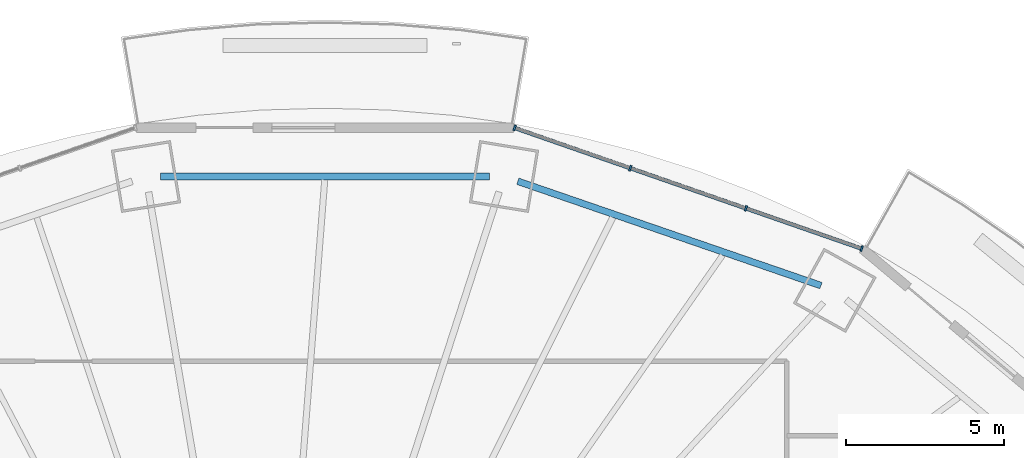
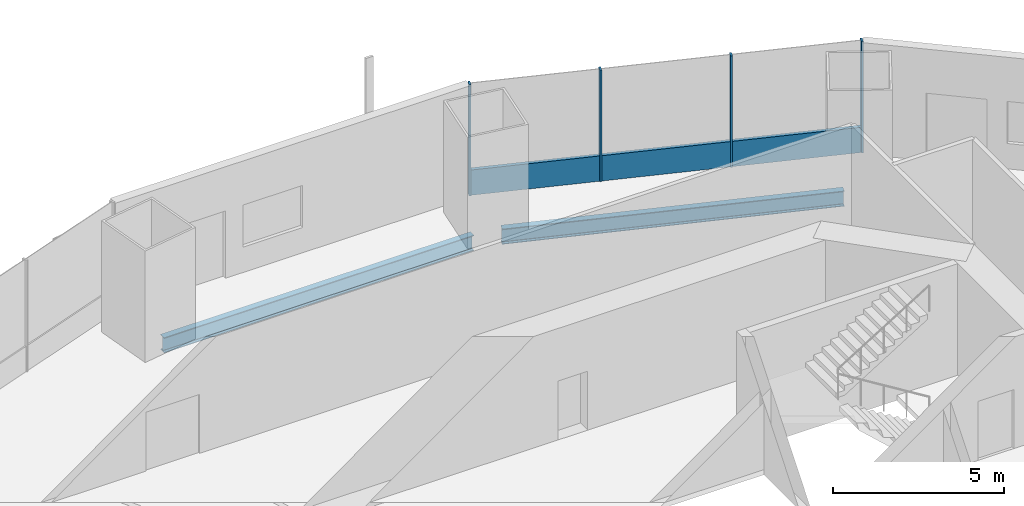
# One storey, part 8 of 19: 5 members, 2 beams, 1 element without a shape of its own.
"""IFC4 building model written with IfcOpenShell, lengths in metres."""

from ifc_helpers import new_model, si_unit, direction, frame, origin, origin_2d, place, context, subcontext, project, spatial, rectangle, i_section, extrude, material, material_profile, profile_set, type_object, element, aggregate, save


model = new_model("IFC4")

# Units and contexts
model_context = context("Model", 3, precision=1e-05, world=origin(), true_north=direction((0.0, 1.0)))
body_context = subcontext(model_context, "Body", "Model", "MODEL_VIEW")
ifc_project = project(units=[si_unit("LENGTHUNIT", "METRE"), si_unit("AREAUNIT", "SQUARE_METRE"), si_unit("VOLUMEUNIT", "CUBIC_METRE"), si_unit("PLANEANGLEUNIT", "RADIAN"), si_unit("MASSUNIT", "GRAM", prefix="KILO")], contexts=[model_context])

# Site, building, storey
site_placement = place(None, origin())
site = spatial("IfcSite", under=ifc_project, at=site_placement, CompositionType="ELEMENT")
building_placement = place(site_placement, origin())
building = spatial("IfcBuilding", under=site, at=building_placement, Name="Marenthal Gate Tower", CompositionType="ELEMENT")
storey_placement = place(building_placement, frame((0.0, 0.0, 231.60009765625)))
storey = spatial("IfcBuildingStorey", under=building, at=storey_placement, Name="L51", CompositionType="ELEMENT", Elevation=231.60009765625)

# Curtain wall, members
ifc_material_1 = material(Name="Aluminium and glass", Category="aluminium")
curtain_wall_type = type_object("IfcCurtainWallType", Name="Curtain wall typical mid", PredefinedType="NOTDEFINED", material=ifc_material_1)
curtain_wall_placement = place(storey_placement, origin())
curtain_wall = element("IfcCurtainWall", 1, at=curtain_wall_placement, inside=storey, type_object=curtain_wall_type, Name="Curtain wall L51 bay 3", PredefinedType="NOTDEFINED")
ifc_material_2 = material(Name="Aluminium", Category="aluminium")
ifc_material_profile_1 = material_profile(ifc_material_2, rectangle(XDim=0.179931640625, YDim=0.06005859375, at=origin_2d()), Name="60x180 aluminium mullion")
ifc_profile_set_1 = profile_set([ifc_material_profile_1], Name="Aluminium")
member_type_1 = type_object("IfcMemberType", Name="Mullion 60x180 typical mid", PredefinedType="MULLION", material=ifc_profile_set_1)
member_1_placement = place(storey_placement, frame((18.821044921875, 20.832763671875, 0.0), z_axis=(0.0, 0.0, 1.0), x_axis=(-0.328467970612, -0.94451510961, 0.0)))
member_1 = element("IfcMember", 2, at=member_1_placement, type_object=member_type_1, Name="Mullion L51 bay 3.1", PredefinedType="MULLION", context=body_context, shape_type="SweptSolid", body=[
    extrude(rectangle(XDim=0.179931640625, YDim=0.06005859375, at=origin_2d()), origin(), (0.0, 0.0, 1.0), 3.969970703125),
])
member_2_placement = place(storey_placement, frame((15.15234375, 22.1083984375, 0.0), z_axis=(0.0, 0.0, 1.0), x_axis=(-0.328467970612, -0.94451510961, 0.0)))
member_2 = element("IfcMember", 3, at=member_2_placement, type_object=member_type_1, Name="Mullion L51 bay 3.2", PredefinedType="MULLION", context=body_context, shape_type="SweptSolid", body=[
    extrude(rectangle(XDim=0.179931640625, YDim=0.06005859375, at=origin_2d()), origin(), (0.0, 0.0, 1.0), 3.969970703125),
])
member_3_placement = place(storey_placement, frame((11.48388671875, 23.38427734375, 0.0), z_axis=(0.0, 0.0, 1.0), x_axis=(-0.328467970612, -0.94451510961, 0.0)))
member_3 = element("IfcMember", 4, at=member_3_placement, type_object=member_type_1, Name="Mullion L51 bay 3.3", PredefinedType="MULLION", context=body_context, shape_type="SweptSolid", body=[
    extrude(rectangle(XDim=0.179931640625, YDim=0.06005859375, at=origin_2d()), origin(), (0.0, 0.0, 1.0), 3.969970703125),
])
member_4_placement = place(storey_placement, frame((7.815185546875, 24.66015625, 0.0), z_axis=(0.0, 0.0, 1.0), x_axis=(-0.328467970612, -0.94451510961, 0.0)))
member_4 = element("IfcMember", 5, at=member_4_placement, type_object=member_type_1, Name="Mullion L51 bay 3.4", PredefinedType="MULLION", context=body_context, shape_type="SweptSolid", body=[
    extrude(rectangle(XDim=0.179931640625, YDim=0.06005859375, at=origin_2d()), origin(), (0.0, 0.0, 1.0), 3.969970703125),
])
ifc_material_3 = material(Name="Aluminium", Category="aluminium")
ifc_material_profile_2 = material_profile(ifc_material_3, rectangle(XDim=0.1201171875, YDim=0.89990234375, at=origin_2d()), Name="120x900 aluminium transom")
ifc_profile_set_2 = profile_set([ifc_material_profile_2], Name="Aluminium")
member_type_2 = type_object("IfcMemberType", Name="Transom 120x900 typical mid", PredefinedType="USERDEFINED", material=ifc_profile_set_2)
member_5_placement = place(storey_placement, frame((18.792724609375, 20.842529296875, 0.449951171875), z_axis=(-0.944518387827, 0.328458543894, 0.0), x_axis=(-0.328458543894, -0.944518387827, 0.0)))
member_5 = element("IfcMember", 6, at=member_5_placement, type_object=member_type_2, Name="Transom L51 bay 3", ObjectType="TRANSOM", PredefinedType="USERDEFINED", context=body_context, shape_type="SweptSolid", body=[
    extrude(rectangle(XDim=0.1201171875, YDim=0.89990234375, at=origin_2d()), origin(), (0.0, 0.0, 1.0), 11.59228515625),
])
aggregate(curtain_wall, [member_1, member_2, member_3, member_4, member_5])

# Beams
ifc_material_4 = material(Name="Steel S355", Category="steel")
ifc_material_profile_3 = material_profile(ifc_material_4, i_section(OverallWidth=0.2119140625, OverallDepth=0.5439453125, WebThickness=0.01318359375, FlangeThickness=0.021240234375, FilletRadius=0.0126953125, at=origin_2d()), Name="W530X123")
ifc_profile_set_3 = profile_set([ifc_material_profile_3], Name="Steel S355")
beam_type = type_object("IfcBeamType", Name="W530X123 beam", PredefinedType="BEAM", material=ifc_profile_set_3)
beam_1_placement = place(storey_placement, frame((17.531982421875, 19.660400390625, -0.4521484375), z_axis=(-0.945567746604, 0.325425316443, 0.0), x_axis=(-0.325425316443, -0.945567746604, 0.0)))
element("IfcBeam", 7, at=beam_1_placement, inside=storey, type_object=beam_type, Name="BM-L51-43", PredefinedType="BEAM", context=body_context, shape_type="SweptSolid", body=[
    extrude(i_section(OverallWidth=0.2119140625, OverallDepth=0.5439453125, WebThickness=0.01318359375, FlangeThickness=0.021240234375, FilletRadius=0.0126953125, at=origin_2d()), origin(), (0.0, 0.0, 1.0), 10.16845703125),
])
beam_2_placement = place(storey_placement, frame((7.015869140625, 23.120361328125, -0.4521484375), z_axis=(-1.0, 0.0, 0.0), x_axis=(0.0, -1.0, 0.0)))
element("IfcBeam", 8, at=beam_2_placement, inside=storey, type_object=beam_type, Name="BM-L51-44", PredefinedType="BEAM", context=body_context, shape_type="SweptSolid", body=[
    extrude(i_section(OverallWidth=0.2119140625, OverallDepth=0.5439453125, WebThickness=0.01318359375, FlangeThickness=0.021240234375, FilletRadius=0.0126953125, at=origin_2d()), origin(), (0.0, 0.0, 1.0), 10.431640625),
])

save(model, "model.ifc")
